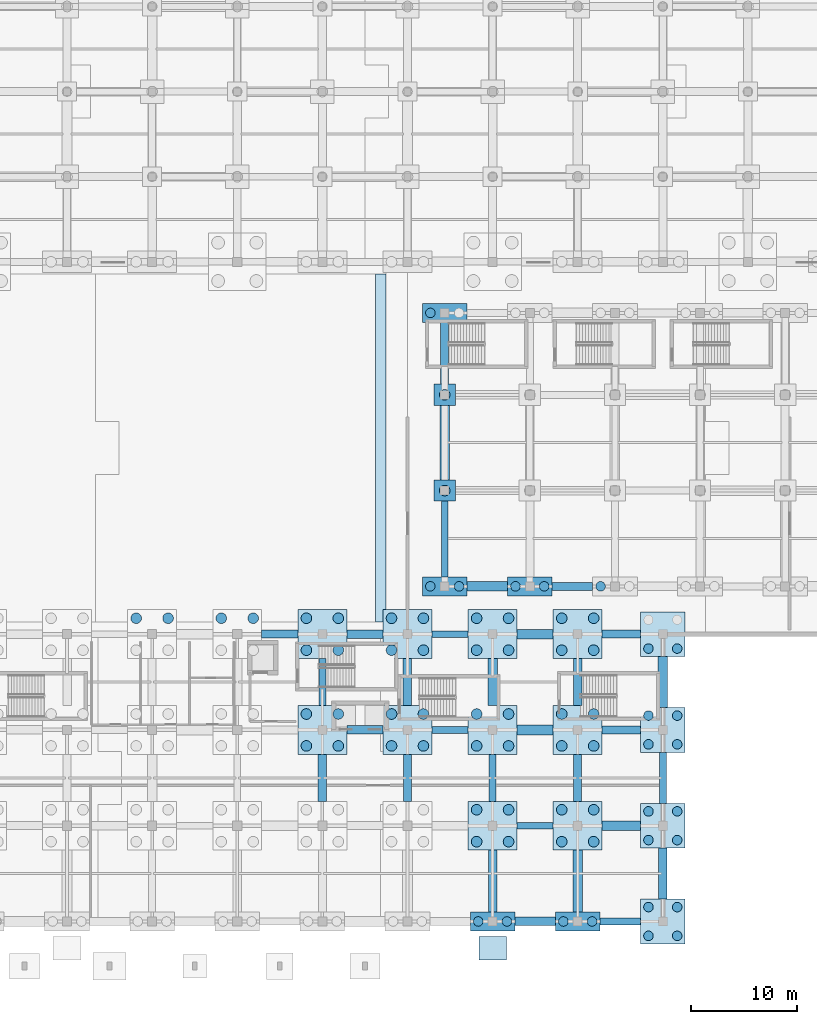
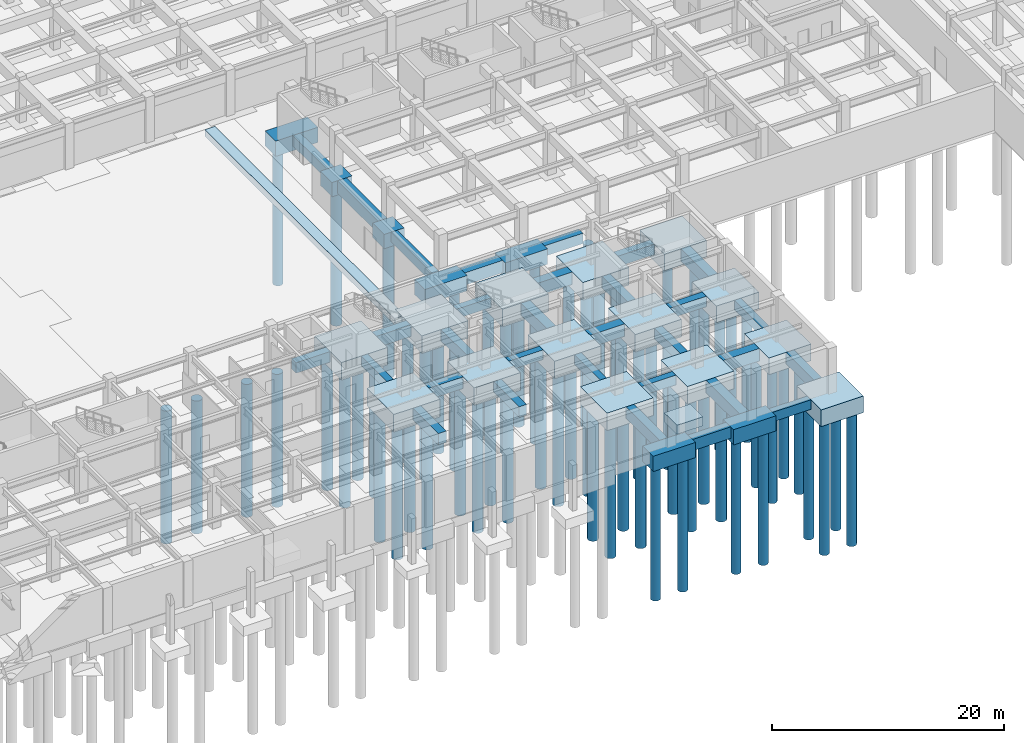
# One storey, part 4 of 48: 70 piles, 54 footings.
"""IFC4 building model written with IfcOpenShell, lengths in metres."""

from ifc_helpers import new_model, si_unit, direction, frame, origin, origin_2d, place, context, subcontext, project, spatial, polyline, rectangle, circle, outline, extrude, material, layer, layer_set, material_profile, profile_set, type_object, element, save


model = new_model("IFC4")

# Units and contexts
model_context = context("Model", 3, precision=1e-05, world=origin(), true_north=direction((0.0, 1.0)))
body_context = subcontext(model_context, "Body", "Model", "MODEL_VIEW")
ifc_project = project(units=[si_unit("LENGTHUNIT", "METRE"), si_unit("AREAUNIT", "SQUARE_METRE"), si_unit("VOLUMEUNIT", "CUBIC_METRE"), si_unit("PLANEANGLEUNIT", "RADIAN"), si_unit("MASSUNIT", "GRAM", prefix="KILO")], contexts=[model_context])

# Site, building, storey
site_placement = place(None, origin())
site = spatial("IfcSite", under=ifc_project, at=site_placement, CompositionType="ELEMENT")
building_placement = place(site_placement, origin())
building = spatial("IfcBuilding", under=site, at=building_placement, Name="Tlacozan Convention Centre", CompositionType="ELEMENT")
storey_placement = place(building_placement, frame((0.0, 0.0, -4.800048828125)))
storey = spatial("IfcBuildingStorey", under=building, at=storey_placement, Name="B01", CompositionType="ELEMENT", Elevation=-4.800048828125)

# Footings
ifc_material = material(Name="Concrete C35/45", Category="concrete")
ifc_layer_1 = layer(ifc_material, 0.699951171875)
ifc_layer_set_1 = layer_set([ifc_layer_1], Name="Concrete C35/45")
footing_type_1 = type_object("IfcFootingType", Name="Courtyard Strip Footing 1000x700", PredefinedType="STRIP_FOOTING", material=ifc_layer_set_1)
footing_1_placement = place(storey_placement, frame((0.0, 0.0, -0.699951171875)))
element("IfcFooting", 1, at=footing_1_placement, inside=storey, type_object=footing_type_1, Name="Strip Footing SF-C4", PredefinedType="STRIP_FOOTING", context=body_context, shape_type="SweptSolid", body=[
    extrude(outline(polyline([(85.0, 28.14990234375), (86.0, 28.14990234375), (86.0, 60.85009765625), (85.0, 60.85009765625), (85.0, 28.14990234375)])), origin(), (0.0, 0.0, 1.0), 0.699951171875),
])
ifc_layer_2 = layer(ifc_material, 1.0)
ifc_layer_set_2 = layer_set([ifc_layer_2], Name="Concrete C35/45")
footing_type_2 = type_object("IfcFootingType", Name="Foundation Tie Beam 650x1000", PredefinedType="FOOTING_BEAM", material=ifc_layer_set_2)
footing_2_placement = place(storey_placement, frame((0.0, 0.0, -1.0)))
element("IfcFooting", 2, at=footing_2_placement, inside=storey, type_object=footing_type_2, Name="Foundation Tie Beam X-13", PredefinedType="FOOTING_BEAM", context=body_context, shape_type="SweptSolid", body=[
    extrude(outline(polyline([(106.10009765625, -0.324951171875), (109.89990234375, -0.324951171875), (109.89990234375, 0.324951171875), (106.10009765625, 0.324951171875), (106.10009765625, -0.324951171875)])), origin(), (0.0, 0.0, 1.0), 1.0),
])
footing_3_placement = place(storey_placement, frame((0.0, 0.0, -1.0)))
element("IfcFooting", 3, at=footing_3_placement, inside=storey, type_object=footing_type_2, Name="Foundation Tie Beam X-25", PredefinedType="FOOTING_BEAM", context=body_context, shape_type="SweptSolid", body=[
    extrude(outline(polyline([(98.300048828125, 8.675048828125), (101.699951171875, 8.675048828125), (101.699951171875, 9.324951171875), (98.300048828125, 9.324951171875), (98.300048828125, 8.675048828125)])), origin(), (0.0, 0.0, 1.0), 1.0),
])
footing_4_placement = place(storey_placement, frame((0.0, 0.0, -1.0)))
element("IfcFooting", 4, at=footing_4_placement, inside=storey, type_object=footing_type_2, Name="Foundation Tie Beam X-37", PredefinedType="FOOTING_BEAM", context=body_context, shape_type="SweptSolid", body=[
    extrude(outline(polyline([(90.300048828125, 17.675048828125), (93.699951171875, 17.675048828125), (93.699951171875, 18.324951171875), (90.300048828125, 18.324951171875), (90.300048828125, 17.675048828125)])), origin(), (0.0, 0.0, 1.0), 1.0),
])
footing_5_placement = place(storey_placement, frame((0.0, 0.0, -1.0)))
element("IfcFooting", 5, at=footing_5_placement, inside=storey, type_object=footing_type_2, Name="Foundation Tie Beam X-57", PredefinedType="FOOTING_BEAM", context=body_context, shape_type="SweptSolid", body=[
    extrude(outline(polyline([(90.300048828125, 26.675048828125), (93.699951171875, 26.675048828125), (93.699951171875, 27.324951171875), (90.300048828125, 27.324951171875), (90.300048828125, 26.675048828125)])), origin(), (0.0, 0.0, 1.0), 1.0),
])
footing_6_placement = place(storey_placement, frame((0.0, 0.0, -1.0)))
element("IfcFooting", 6, at=footing_6_placement, inside=storey, type_object=footing_type_2, Name="Foundation Tie Beam Y-441", PredefinedType="FOOTING_BEAM", context=body_context, shape_type="SweptSolid", body=[
    extrude(outline(polyline([(79.675048828125, 20.300048828125), (80.324951171875, 20.300048828125), (80.324951171875, 24.699951171875), (79.675048828125, 24.699951171875), (79.675048828125, 20.300048828125)])), origin(), (0.0, 0.0, 1.0), 1.0),
])
footing_7_placement = place(storey_placement, frame((0.0, 0.0, -1.0)))
element("IfcFooting", 7, at=footing_7_placement, inside=storey, type_object=footing_type_2, Name="Foundation Tie Beam Y-461", PredefinedType="FOOTING_BEAM", context=body_context, shape_type="SweptSolid", body=[
    extrude(outline(polyline([(91.175048828125, 32.39990234375), (91.824951171875, 32.39990234375), (91.824951171875, 39.5), (91.175048828125, 39.5), (91.175048828125, 32.39990234375)])), origin(), (0.0, 0.0, 1.0), 1.0),
])
footing_8_placement = place(storey_placement, frame((0.0, 0.0, -1.0)))
element("IfcFooting", 8, at=footing_8_placement, inside=storey, type_object=footing_type_2, Name="Foundation Tie Beam Y-465", PredefinedType="FOOTING_BEAM", context=body_context, shape_type="SweptSolid", body=[
    extrude(outline(polyline([(95.675048828125, 11.300048828125), (96.324951171875, 11.300048828125), (96.324951171875, 15.699951171875), (95.675048828125, 15.699951171875), (95.675048828125, 11.300048828125)])), origin(), (0.0, 0.0, 1.0), 1.0),
])
footing_9_placement = place(storey_placement, frame((0.0, 0.0, -1.0)))
element("IfcFooting", 9, at=footing_9_placement, inside=storey, type_object=footing_type_2, Name="Foundation Tie Beam Y-493", PredefinedType="FOOTING_BEAM", context=body_context, shape_type="SweptSolid", body=[
    extrude(outline(polyline([(111.675048828125, 11.10009765625), (112.324951171875, 11.10009765625), (112.324951171875, 15.89990234375), (111.675048828125, 15.89990234375), (111.675048828125, 11.10009765625)])), origin(), (0.0, 0.0, 1.0), 1.0),
])
ifc_layer_3 = layer(ifc_material, 1.10009765625)
ifc_layer_set_3 = layer_set([ifc_layer_3], Name="Concrete C35/45")
footing_type_3 = type_object("IfcFootingType", Name="Foundation Tie Beam 750x1100", PredefinedType="FOOTING_BEAM", material=ifc_layer_set_3)
footing_10_placement = place(storey_placement, frame((0.0, 0.0, -1.099853515625)))
element("IfcFooting", 10, at=footing_10_placement, inside=storey, type_object=footing_type_3, Name="Foundation Tie Beam X-39", PredefinedType="FOOTING_BEAM", context=body_context, shape_type="SweptSolid", body=[
    extrude(outline(polyline([(106.300048828125, 17.625), (109.89990234375, 17.625), (109.89990234375, 18.375), (106.300048828125, 18.375), (106.300048828125, 17.625)])), origin(), (0.0, 0.0, 1.0), 1.099853515625),
])
footing_11_placement = place(storey_placement, frame((0.0, 0.0, -1.099853515625)))
element("IfcFooting", 11, at=footing_11_placement, inside=storey, type_object=footing_type_3, Name="Foundation Tie Beam X-55", PredefinedType="FOOTING_BEAM", context=body_context, shape_type="SweptSolid", body=[
    extrude(outline(polyline([(74.300048828125, 26.625), (77.699951171875, 26.625), (77.699951171875, 27.375), (74.300048828125, 27.375), (74.300048828125, 26.625)])), origin(), (0.0, 0.0, 1.0), 1.099853515625),
])
footing_12_placement = place(storey_placement, frame((0.0, 0.0, -1.099853515625)))
element("IfcFooting", 12, at=footing_12_placement, inside=storey, type_object=footing_type_3, Name="Foundation Tie Beam X-59", PredefinedType="FOOTING_BEAM", context=body_context, shape_type="SweptSolid", body=[
    extrude(outline(polyline([(106.300048828125, 26.625), (109.89990234375, 26.625), (109.89990234375, 27.375), (106.300048828125, 27.375), (106.300048828125, 26.625)])), origin(), (0.0, 0.0, 1.0), 1.099853515625),
])
footing_13_placement = place(storey_placement, frame((0.0, 0.0, -1.099853515625)))
element("IfcFooting", 13, at=footing_13_placement, inside=storey, type_object=footing_type_3, Name="Foundation Tie Beam X-71", PredefinedType="FOOTING_BEAM", context=body_context, shape_type="SweptSolid", body=[
    extrude(outline(polyline([(101.60009765625, 31.125), (105.39990234375, 31.125), (105.39990234375, 31.875), (101.60009765625, 31.875), (101.60009765625, 31.125)])), origin(), (0.0, 0.0, 1.0), 1.099853515625),
])
footing_14_placement = place(storey_placement, frame((0.0, 0.0, -1.099853515625)))
element("IfcFooting", 14, at=footing_14_placement, inside=storey, type_object=footing_type_3, Name="Foundation Tie Beam Y-451", PredefinedType="FOOTING_BEAM", context=body_context, shape_type="SweptSolid", body=[
    extrude(outline(polyline([(87.625, 11.300048828125), (88.375, 11.300048828125), (88.375, 15.699951171875), (87.625, 15.699951171875), (87.625, 11.300048828125)])), origin(), (0.0, 0.0, 1.0), 1.099853515625),
])
footing_15_placement = place(storey_placement, frame((0.0, 0.0, -1.099853515625)))
element("IfcFooting", 15, at=footing_15_placement, inside=storey, type_object=footing_type_3, Name="Foundation Tie Beam Y-463", PredefinedType="FOOTING_BEAM", context=body_context, shape_type="SweptSolid", body=[
    extrude(outline(polyline([(91.125, 50.5), (91.875, 50.5), (91.875, 56.300048828125), (91.125, 56.300048828125), (91.125, 50.5)])), origin(), (0.0, 0.0, 1.0), 1.099853515625),
])
footing_16_placement = place(storey_placement, frame((0.0, 0.0, -1.099853515625)))
element("IfcFooting", 16, at=footing_16_placement, inside=storey, type_object=footing_type_3, Name="Foundation Tie Beam Y-479", PredefinedType="FOOTING_BEAM", context=body_context, shape_type="SweptSolid", body=[
    extrude(outline(polyline([(103.625, 11.300048828125), (104.375, 11.300048828125), (104.375, 15.699951171875), (103.625, 15.699951171875), (103.625, 11.300048828125)])), origin(), (0.0, 0.0, 1.0), 1.099853515625),
])
ifc_layer_4 = layer(ifc_material, 1.199951171875)
ifc_layer_set_4 = layer_set([ifc_layer_4], Name="Concrete C35/45")
footing_type_4 = type_object("IfcFootingType", Name="Foundation Tie Beam 800x1200", PredefinedType="FOOTING_BEAM", material=ifc_layer_set_4)
footing_17_placement = place(storey_placement, frame((0.0, 0.0, -1.199951171875)))
element("IfcFooting", 17, at=footing_17_placement, inside=storey, type_object=footing_type_4, Name="Foundation Tie Beam X-12", PredefinedType="FOOTING_BEAM", context=body_context, shape_type="SweptSolid", body=[
    extrude(outline(polyline([(98.10009765625, -0.39990234375), (101.89990234375, -0.39990234375), (101.89990234375, 0.39990234375), (98.10009765625, 0.39990234375), (98.10009765625, -0.39990234375)])), origin(), (0.0, 0.0, 1.0), 1.199951171875),
])
footing_18_placement = place(storey_placement, frame((0.0, 0.0, -1.199951171875)))
element("IfcFooting", 18, at=footing_18_placement, inside=storey, type_object=footing_type_4, Name="Foundation Tie Beam X-36", PredefinedType="FOOTING_BEAM", context=body_context, shape_type="SweptSolid", body=[
    extrude(outline(polyline([(82.300048828125, 17.60009765625), (85.699951171875, 17.60009765625), (85.699951171875, 18.39990234375), (82.300048828125, 18.39990234375), (82.300048828125, 17.60009765625)])), origin(), (0.0, 0.0, 1.0), 1.199951171875),
])
footing_19_placement = place(storey_placement, frame((0.0, 0.0, -1.199951171875)))
element("IfcFooting", 19, at=footing_19_placement, inside=storey, type_object=footing_type_4, Name="Foundation Tie Beam X-56", PredefinedType="FOOTING_BEAM", context=body_context, shape_type="SweptSolid", body=[
    extrude(outline(polyline([(82.300048828125, 26.60009765625), (85.699951171875, 26.60009765625), (85.699951171875, 27.39990234375), (82.300048828125, 27.39990234375), (82.300048828125, 26.60009765625)])), origin(), (0.0, 0.0, 1.0), 1.199951171875),
])
footing_20_placement = place(storey_placement, frame((0.0, 0.0, -1.199951171875)))
element("IfcFooting", 20, at=footing_20_placement, inside=storey, type_object=footing_type_4, Name="Foundation Tie Beam Y-440", PredefinedType="FOOTING_BEAM", context=body_context, shape_type="SweptSolid", body=[
    extrude(outline(polyline([(79.60009765625, 11.300048828125), (80.39990234375, 11.300048828125), (80.39990234375, 15.699951171875), (79.60009765625, 15.699951171875), (79.60009765625, 11.300048828125)])), origin(), (0.0, 0.0, 1.0), 1.199951171875),
])
footing_21_placement = place(storey_placement, frame((0.0, 0.0, -1.199951171875)))
element("IfcFooting", 21, at=footing_21_placement, inside=storey, type_object=footing_type_4, Name="Foundation Tie Beam Y-452", PredefinedType="FOOTING_BEAM", context=body_context, shape_type="SweptSolid", body=[
    extrude(outline(polyline([(87.60009765625, 20.300048828125), (88.39990234375, 20.300048828125), (88.39990234375, 24.699951171875), (87.60009765625, 24.699951171875), (87.60009765625, 20.300048828125)])), origin(), (0.0, 0.0, 1.0), 1.199951171875),
])
footing_22_placement = place(storey_placement, frame((0.0, 0.0, -1.199951171875)))
element("IfcFooting", 22, at=footing_22_placement, inside=storey, type_object=footing_type_4, Name="Foundation Tie Beam Y-464", PredefinedType="FOOTING_BEAM", context=body_context, shape_type="SweptSolid", body=[
    extrude(outline(polyline([(95.60009765625, 0.89990234375), (96.39990234375, 0.89990234375), (96.39990234375, 6.699951171875), (95.60009765625, 6.699951171875), (95.60009765625, 0.89990234375)])), origin(), (0.0, 0.0, 1.0), 1.199951171875),
])
footing_23_placement = place(storey_placement, frame((0.0, 0.0, -1.199951171875)))
element("IfcFooting", 23, at=footing_23_placement, inside=storey, type_object=footing_type_4, Name="Foundation Tie Beam Y-480", PredefinedType="FOOTING_BEAM", context=body_context, shape_type="SweptSolid", body=[
    extrude(outline(polyline([(103.60009765625, 20.300048828125), (104.39990234375, 20.300048828125), (104.39990234375, 24.699951171875), (103.60009765625, 24.699951171875), (103.60009765625, 20.300048828125)])), origin(), (0.0, 0.0, 1.0), 1.199951171875),
])
footing_24_placement = place(storey_placement, frame((0.0, 0.0, -1.199951171875)))
element("IfcFooting", 24, at=footing_24_placement, inside=storey, type_object=footing_type_4, Name="Foundation Tie Beam Y-492", PredefinedType="FOOTING_BEAM", context=body_context, shape_type="SweptSolid", body=[
    extrude(outline(polyline([(111.60009765625, 2.10009765625), (112.39990234375, 2.10009765625), (112.39990234375, 6.89990234375), (111.60009765625, 6.89990234375), (111.60009765625, 2.10009765625)])), origin(), (0.0, 0.0, 1.0), 1.199951171875),
])
ifc_layer_5 = layer(ifc_material, 1.300048828125)
ifc_layer_set_5 = layer_set([ifc_layer_5], Name="Concrete C35/45")
footing_type_5 = type_object("IfcFootingType", Name="Foundation Tie Beam 900x1300", PredefinedType="FOOTING_BEAM", material=ifc_layer_set_5)
footing_25_placement = place(storey_placement, frame((0.0, 0.0, -1.300048828125)))
element("IfcFooting", 25, at=footing_25_placement, inside=storey, type_object=footing_type_5, Name="Foundation Tie Beam X-26", PredefinedType="FOOTING_BEAM", context=body_context, shape_type="SweptSolid", body=[
    extrude(outline(polyline([(106.300048828125, 8.550048828125), (109.89990234375, 8.550048828125), (109.89990234375, 9.449951171875), (106.300048828125, 9.449951171875), (106.300048828125, 8.550048828125)])), origin(), (0.0, 0.0, 1.0), 1.300048828125),
])
footing_26_placement = place(storey_placement, frame((0.0, 0.0, -1.300048828125)))
element("IfcFooting", 26, at=footing_26_placement, inside=storey, type_object=footing_type_5, Name="Foundation Tie Beam X-38", PredefinedType="FOOTING_BEAM", context=body_context, shape_type="SweptSolid", body=[
    extrude(outline(polyline([(98.300048828125, 17.550048828125), (101.699951171875, 17.550048828125), (101.699951171875, 18.449951171875), (98.300048828125, 18.449951171875), (98.300048828125, 17.550048828125)])), origin(), (0.0, 0.0, 1.0), 1.300048828125),
])
footing_27_placement = place(storey_placement, frame((0.0, 0.0, -1.300048828125)))
element("IfcFooting", 27, at=footing_27_placement, inside=storey, type_object=footing_type_5, Name="Foundation Tie Beam X-58", PredefinedType="FOOTING_BEAM", context=body_context, shape_type="SweptSolid", body=[
    extrude(outline(polyline([(98.300048828125, 26.550048828125), (101.699951171875, 26.550048828125), (101.699951171875, 27.449951171875), (98.300048828125, 27.449951171875), (98.300048828125, 26.550048828125)])), origin(), (0.0, 0.0, 1.0), 1.300048828125),
])
footing_28_placement = place(storey_placement, frame((0.0, 0.0, -1.300048828125)))
element("IfcFooting", 28, at=footing_28_placement, inside=storey, type_object=footing_type_5, Name="Foundation Tie Beam X-70", PredefinedType="FOOTING_BEAM", context=body_context, shape_type="SweptSolid", body=[
    extrude(outline(polyline([(93.60009765625, 31.050048828125), (97.39990234375, 31.050048828125), (97.39990234375, 31.949951171875), (93.60009765625, 31.949951171875), (93.60009765625, 31.050048828125)])), origin(), (0.0, 0.0, 1.0), 1.300048828125),
])
footing_29_placement = place(storey_placement, frame((0.0, 0.0, -1.300048828125)))
element("IfcFooting", 29, at=footing_29_placement, inside=storey, type_object=footing_type_5, Name="Foundation Tie Beam Y-462", PredefinedType="FOOTING_BEAM", context=body_context, shape_type="SweptSolid", body=[
    extrude(outline(polyline([(91.050048828125, 41.5), (91.949951171875, 41.5), (91.949951171875, 48.5), (91.050048828125, 48.5), (91.050048828125, 41.5)])), origin(), (0.0, 0.0, 1.0), 1.300048828125),
])
footing_30_placement = place(storey_placement, frame((0.0, 0.0, -1.300048828125)))
element("IfcFooting", 30, at=footing_30_placement, inside=storey, type_object=footing_type_5, Name="Foundation Tie Beam Y-466", PredefinedType="FOOTING_BEAM", context=body_context, shape_type="SweptSolid", body=[
    extrude(outline(polyline([(95.550048828125, 20.300048828125), (96.449951171875, 20.300048828125), (96.449951171875, 24.699951171875), (95.550048828125, 24.699951171875), (95.550048828125, 20.300048828125)])), origin(), (0.0, 0.0, 1.0), 1.300048828125),
])
footing_31_placement = place(storey_placement, frame((0.0, 0.0, -1.300048828125)))
element("IfcFooting", 31, at=footing_31_placement, inside=storey, type_object=footing_type_5, Name="Foundation Tie Beam Y-478", PredefinedType="FOOTING_BEAM", context=body_context, shape_type="SweptSolid", body=[
    extrude(outline(polyline([(103.550048828125, 0.89990234375), (104.449951171875, 0.89990234375), (104.449951171875, 6.699951171875), (103.550048828125, 6.699951171875), (103.550048828125, 0.89990234375)])), origin(), (0.0, 0.0, 1.0), 1.300048828125),
])
footing_32_placement = place(storey_placement, frame((0.0, 0.0, -1.300048828125)))
element("IfcFooting", 32, at=footing_32_placement, inside=storey, type_object=footing_type_5, Name="Foundation Tie Beam Y-494", PredefinedType="FOOTING_BEAM", context=body_context, shape_type="SweptSolid", body=[
    extrude(outline(polyline([(111.550048828125, 20.10009765625), (112.449951171875, 20.10009765625), (112.449951171875, 24.89990234375), (111.550048828125, 24.89990234375), (111.550048828125, 20.10009765625)])), origin(), (0.0, 0.0, 1.0), 1.300048828125),
])
ifc_layer_6 = layer(ifc_material, 0.949951171875)
ifc_layer_set_6 = layer_set([ifc_layer_6], Name="Concrete C35/45")
footing_type_6 = type_object("IfcFootingType", Name="Pad Footing 2500x2500x950", PredefinedType="PAD_FOOTING", material=ifc_layer_set_6)
footing_33_placement = place(storey_placement, frame((96.0, -2.5, 3.66015625), z_axis=(0.0, 0.0, 1.0), x_axis=(1.0, 0.0, 0.0)))
element("IfcFooting", 33, at=footing_33_placement, inside=storey, type_object=footing_type_6, Name="Accessible Ramp Grade Toe Footing 3", PredefinedType="PAD_FOOTING", context=body_context, shape_type="SweptSolid", body=[
    extrude(rectangle(XDim=2.60009765625, YDim=2.199951171875, at=origin_2d()), origin(), (0.0, 0.0, 1.0), 0.9599609375),
])
ifc_layer_7 = layer(ifc_material, 1.5)
ifc_layer_set_7 = layer_set([ifc_layer_7], Name="Concrete C35/45")
footing_type_7 = type_object("IfcFootingType", Name="Pile Cap 1P 2000x2000x1500", PredefinedType="PILE_CAP", material=ifc_layer_set_7)
for number, where, z_axis, x_axis, name in (
    (34, (91.5, 40.5, -1.5), (0.0, 0.0, 1.0), (1.0, 0.0, 0.0), "Pile Cap PC-02 (173)"),
    (35, (91.5, 49.5, -1.5), (0.0, 0.0, 1.0), (1.0, 0.0, 0.0), "Pile Cap PC-02 (174)"),
):
    element("IfcFooting", number, at=place(storey_placement, frame(where, z_axis=z_axis, x_axis=x_axis)), inside=storey, type_object=footing_type_7, Name=name, PredefinedType="PILE_CAP", context=body_context, shape_type="SweptSolid", body=[
        extrude(rectangle(XDim=2.0, YDim=2.0, at=origin_2d()), origin(), (0.0, 0.0, 1.0), 1.5),
    ])
ifc_layer_8 = layer(ifc_material, 1.60009765625)
ifc_layer_set_8 = layer_set([ifc_layer_8], Name="Concrete C35/45")
footing_type_8 = type_object("IfcFootingType", Name="Pile Cap 2P 4200x1800x1600", PredefinedType="PILE_CAP", material=ifc_layer_set_8)
for number, where, z_axis, x_axis, name in (
    (36, (91.5, 31.5, -1.60009765625), (0.0, 0.0, 1.0), (1.0, 0.0, 0.0), "Pile Cap PC-03 (172)"),
    (37, (91.5, 57.199951171875, -1.60009765625), (0.0, 0.0, 1.0), (1.0, 0.0, 0.0), "Pile Cap PC-03 (175)"),
    (38, (96.0, 0.0, -1.60009765625), (0.0, 0.0, 1.0), (1.0, 0.0, 0.0), "Pile Cap PC-03 (176)"),
    (39, (99.5, 31.5, -1.60009765625), (0.0, 0.0, 1.0), (1.0, 0.0, 0.0), "Pile Cap PC-03 (189)"),
    (40, (104.0, 0.0, -1.60009765625), (0.0, 0.0, 1.0), (1.0, 0.0, 0.0), "Pile Cap PC-03 (193)"),
):
    element("IfcFooting", number, at=place(storey_placement, frame(where, z_axis=z_axis, x_axis=x_axis)), inside=storey, type_object=footing_type_8, Name=name, PredefinedType="PILE_CAP", context=body_context, shape_type="SweptSolid", body=[
        extrude(rectangle(XDim=4.199951171875, YDim=1.800048828125, at=origin_2d()), origin(), (0.0, 0.0, 1.0), 1.60009765625),
    ])
ifc_layer_9 = layer(ifc_material, 1.75)
ifc_layer_set_9 = layer_set([ifc_layer_9], Name="Concrete C35/45")
footing_type_9 = type_object("IfcFootingType", Name="Pile Cap 4P 4200x4200x1750", PredefinedType="PILE_CAP", material=ifc_layer_set_9)
for number, where, z_axis, x_axis, name in (
    (41, (112.0, 0.0, -1.75), (0.0, 0.0, 1.0), (1.0, 0.0, 0.0), "Pile Cap PC-06 (210)"),
    (42, (112.0, 9.0, -1.75), (0.0, 0.0, 1.0), (1.0, 0.0, 0.0), "Pile Cap PC-06 (211)"),
    (43, (112.0, 18.0, -1.75), (0.0, 0.0, 1.0), (1.0, 0.0, 0.0), "Pile Cap PC-06 (212)"),
    (44, (112.0, 27.0, -1.75), (0.0, 0.0, 1.0), (1.0, 0.0, 0.0), "Pile Cap PC-06 (213)"),
):
    element("IfcFooting", number, at=place(storey_placement, frame(where, z_axis=z_axis, x_axis=x_axis)), inside=storey, type_object=footing_type_9, Name=name, PredefinedType="PILE_CAP", context=body_context, shape_type="SweptSolid", body=[
        extrude(rectangle(XDim=4.199951171875, YDim=4.199951171875, at=origin_2d()), origin(), (0.0, 0.0, 1.0), 1.75),
    ])
ifc_layer_10 = layer(ifc_material, 1.85009765625)
ifc_layer_set_10 = layer_set([ifc_layer_10], Name="Concrete C35/45")
footing_type_10 = type_object("IfcFootingType", Name="Pile Cap 4P 4600x4600x1850", PredefinedType="PILE_CAP", material=ifc_layer_set_10)
for number, where, z_axis, x_axis, name in (
    (45, (80.0, 18.0, -1.85009765625), (0.0, 0.0, 1.0), (1.0, 0.0, 0.0), "Pile Cap PC-07 (148)"),
    (46, (80.0, 27.0, -1.85009765625), (0.0, 0.0, 1.0), (1.0, 0.0, 0.0), "Pile Cap PC-07 (149)"),
    (47, (88.0, 18.0, -1.85009765625), (0.0, 0.0, 1.0), (1.0, 0.0, 0.0), "Pile Cap PC-07 (161)"),
    (48, (88.0, 27.0, -1.85009765625), (0.0, 0.0, 1.0), (1.0, 0.0, 0.0), "Pile Cap PC-07 (162)"),
    (49, (96.0, 9.0, -1.85009765625), (0.0, 0.0, 1.0), (1.0, 0.0, 0.0), "Pile Cap PC-07 (177)"),
    (50, (96.0, 18.0, -1.85009765625), (0.0, 0.0, 1.0), (1.0, 0.0, 0.0), "Pile Cap PC-07 (178)"),
    (51, (96.0, 27.0, -1.85009765625), (0.0, 0.0, 1.0), (1.0, 0.0, 0.0), "Pile Cap PC-07 (179)"),
    (52, (104.0, 9.0, -1.85009765625), (0.0, 0.0, 1.0), (1.0, 0.0, 0.0), "Pile Cap PC-07 (194)"),
    (53, (104.0, 18.0, -1.85009765625), (0.0, 0.0, 1.0), (1.0, 0.0, 0.0), "Pile Cap PC-07 (195)"),
    (54, (104.0, 27.0, -1.85009765625), (0.0, 0.0, 1.0), (1.0, 0.0, 0.0), "Pile Cap PC-07 (196)"),
):
    element("IfcFooting", number, at=place(storey_placement, frame(where, z_axis=z_axis, x_axis=x_axis)), inside=storey, type_object=footing_type_10, Name=name, PredefinedType="PILE_CAP", context=body_context, shape_type="SweptSolid", body=[
        extrude(rectangle(XDim=4.60009765625, YDim=4.60009765625, at=origin_2d()), origin(), (0.0, 0.0, 1.0), 1.85009765625),
    ])

# Piles
ifc_material_profile_1 = material_profile(ifc_material, circle(Radius=0.5, at=origin_2d()), Name="PILE D1000")
ifc_profile_set_1 = profile_set([ifc_material_profile_1], Name="Concrete C35/45")
pile_type_1 = type_object("IfcPileType", Name="Pile D1000 Bored", PredefinedType="BORED", material=ifc_profile_set_1)
for number, where, z_axis, x_axis, name in (
    (55, (62.5, 28.5, -1.72998046875), (0.0, 0.0, -1.0), (1.0, 0.0, 0.0), "Bored Pile 243"),
    (56, (65.5, 28.5, -1.72998046875), (0.0, 0.0, -1.0), (1.0, 0.0, 0.0), "Bored Pile 244"),
    (57, (70.5, 28.5, -1.72998046875), (0.0, 0.0, -1.0), (1.0, 0.0, 0.0), "Bored Pile 268"),
    (58, (73.5, 28.5, -1.72998046875), (0.0, 0.0, -1.0), (1.0, 0.0, 0.0), "Bored Pile 269"),
    (59, (78.5, 16.5, -1.72998046875), (0.0, 0.0, -1.0), (1.0, 0.0, 0.0), "Bored Pile 291"),
    (60, (81.5, 16.5, -1.72998046875), (0.0, 0.0, -1.0), (1.0, 0.0, 0.0), "Bored Pile 292"),
    (61, (78.5, 19.5, -1.72998046875), (0.0, 0.0, -1.0), (1.0, 0.0, 0.0), "Bored Pile 293"),
    (62, (81.5, 19.5, -1.72998046875), (0.0, 0.0, -1.0), (1.0, 0.0, 0.0), "Bored Pile 294"),
    (63, (78.5, 25.5, -1.72998046875), (0.0, 0.0, -1.0), (1.0, 0.0, 0.0), "Bored Pile 295"),
    (64, (81.5, 25.5, -1.72998046875), (0.0, 0.0, -1.0), (1.0, 0.0, 0.0), "Bored Pile 296"),
    (65, (78.5, 28.5, -1.72998046875), (0.0, 0.0, -1.0), (1.0, 0.0, 0.0), "Bored Pile 297"),
    (66, (81.5, 28.5, -1.72998046875), (0.0, 0.0, -1.0), (1.0, 0.0, 0.0), "Bored Pile 298"),
    (67, (86.5, 16.5, -1.72998046875), (0.0, 0.0, -1.0), (1.0, 0.0, 0.0), "Bored Pile 316"),
    (68, (89.5, 16.5, -1.72998046875), (0.0, 0.0, -1.0), (1.0, 0.0, 0.0), "Bored Pile 317"),
    (69, (86.5, 19.5, -1.72998046875), (0.0, 0.0, -1.0), (1.0, 0.0, 0.0), "Bored Pile 318"),
    (70, (89.5, 19.5, -1.72998046875), (0.0, 0.0, -1.0), (1.0, 0.0, 0.0), "Bored Pile 319"),
    (71, (86.5, 25.5, -1.72998046875), (0.0, 0.0, -1.0), (1.0, 0.0, 0.0), "Bored Pile 320"),
    (72, (89.5, 25.5, -1.72998046875), (0.0, 0.0, -1.0), (1.0, 0.0, 0.0), "Bored Pile 321"),
    (73, (86.5, 28.5, -1.72998046875), (0.0, 0.0, -1.0), (1.0, 0.0, 0.0), "Bored Pile 322"),
    (74, (89.5, 28.5, -1.72998046875), (0.0, 0.0, -1.0), (1.0, 0.0, 0.0), "Bored Pile 323"),
):
    element("IfcPile", number, at=place(storey_placement, frame(where, z_axis=z_axis, x_axis=x_axis)), inside=storey, type_object=pile_type_1, Name=name, PredefinedType="BORED", context=body_context, shape_type="SweptSolid", body=[
        extrude(circle(Radius=0.5, at=origin_2d()), origin(), (0.0, 0.0, 1.0), 13.969970703125),
    ])
for number, where, z_axis, x_axis, name in (
    (75, (91.5, 40.5, -1.3798828125), (0.0, 0.0, -1.0), (1.0, 0.0, 0.0), "Bored Pile 337"),
    (76, (91.5, 49.5, -1.3798828125), (0.0, 0.0, -1.0), (1.0, 0.0, 0.0), "Bored Pile 338"),
):
    element("IfcPile", number, at=place(storey_placement, frame(where, z_axis=z_axis, x_axis=x_axis)), inside=storey, type_object=pile_type_1, Name=name, PredefinedType="BORED", context=body_context, shape_type="SweptSolid", body=[
        extrude(circle(Radius=0.5, at=origin_2d()), origin(), (0.0, 0.0, 1.0), 14.320068359375),
    ])
for number, where, z_axis, x_axis, name in (
    (77, (94.5, 7.5, -1.72998046875), (0.0, 0.0, -1.0), (1.0, 0.0, 0.0), "Bored Pile 343"),
    (78, (97.5, 7.5, -1.72998046875), (0.0, 0.0, -1.0), (1.0, 0.0, 0.0), "Bored Pile 344"),
    (79, (94.5, 10.5, -1.72998046875), (0.0, 0.0, -1.0), (1.0, 0.0, 0.0), "Bored Pile 345"),
    (80, (97.5, 10.5, -1.72998046875), (0.0, 0.0, -1.0), (1.0, 0.0, 0.0), "Bored Pile 346"),
    (81, (94.5, 16.5, -1.72998046875), (0.0, 0.0, -1.0), (1.0, 0.0, 0.0), "Bored Pile 347"),
    (82, (97.5, 16.5, -1.72998046875), (0.0, 0.0, -1.0), (1.0, 0.0, 0.0), "Bored Pile 348"),
    (83, (94.5, 19.5, -1.72998046875), (0.0, 0.0, -1.0), (1.0, 0.0, 0.0), "Bored Pile 349"),
    (84, (97.5, 19.5, -1.72998046875), (0.0, 0.0, -1.0), (1.0, 0.0, 0.0), "Bored Pile 350"),
    (85, (94.5, 25.5, -1.72998046875), (0.0, 0.0, -1.0), (1.0, 0.0, 0.0), "Bored Pile 351"),
    (86, (97.5, 25.5, -1.72998046875), (0.0, 0.0, -1.0), (1.0, 0.0, 0.0), "Bored Pile 352"),
    (87, (94.5, 28.5, -1.72998046875), (0.0, 0.0, -1.0), (1.0, 0.0, 0.0), "Bored Pile 353"),
    (88, (97.5, 28.5, -1.72998046875), (0.0, 0.0, -1.0), (1.0, 0.0, 0.0), "Bored Pile 354"),
    (89, (102.5, 7.5, -1.72998046875), (0.0, 0.0, -1.0), (1.0, 0.0, 0.0), "Bored Pile 378"),
    (90, (105.5, 7.5, -1.72998046875), (0.0, 0.0, -1.0), (1.0, 0.0, 0.0), "Bored Pile 379"),
    (91, (102.5, 10.5, -1.72998046875), (0.0, 0.0, -1.0), (1.0, 0.0, 0.0), "Bored Pile 380"),
    (92, (105.5, 10.5, -1.72998046875), (0.0, 0.0, -1.0), (1.0, 0.0, 0.0), "Bored Pile 381"),
    (93, (102.5, 16.5, -1.72998046875), (0.0, 0.0, -1.0), (1.0, 0.0, 0.0), "Bored Pile 382"),
    (94, (105.5, 16.5, -1.72998046875), (0.0, 0.0, -1.0), (1.0, 0.0, 0.0), "Bored Pile 383"),
    (95, (102.5, 19.5, -1.72998046875), (0.0, 0.0, -1.0), (1.0, 0.0, 0.0), "Bored Pile 384"),
    (96, (105.5, 19.5, -1.72998046875), (0.0, 0.0, -1.0), (1.0, 0.0, 0.0), "Bored Pile 385"),
    (97, (102.5, 25.5, -1.72998046875), (0.0, 0.0, -1.0), (1.0, 0.0, 0.0), "Bored Pile 386"),
    (98, (105.5, 25.5, -1.72998046875), (0.0, 0.0, -1.0), (1.0, 0.0, 0.0), "Bored Pile 387"),
    (99, (102.5, 28.5, -1.72998046875), (0.0, 0.0, -1.0), (1.0, 0.0, 0.0), "Bored Pile 388"),
    (100, (105.5, 28.5, -1.72998046875), (0.0, 0.0, -1.0), (1.0, 0.0, 0.0), "Bored Pile 389"),
):
    element("IfcPile", number, at=place(storey_placement, frame(where, z_axis=z_axis, x_axis=x_axis)), inside=storey, type_object=pile_type_1, Name=name, PredefinedType="BORED", context=body_context, shape_type="SweptSolid", body=[
        extrude(circle(Radius=0.5, at=origin_2d()), origin(), (0.0, 0.0, 1.0), 13.969970703125),
    ])
ifc_material_profile_2 = material_profile(ifc_material, circle(Radius=0.449951171875, at=origin_2d()), Name="PILE D900")
ifc_profile_set_2 = profile_set([ifc_material_profile_2], Name="Concrete C35/45")
pile_type_2 = type_object("IfcPileType", Name="Pile D900 Bored", PredefinedType="BORED", material=ifc_profile_set_2)
for number, where, z_axis, x_axis, name in (
    (101, (90.14990234375, 31.5, -1.47998046875), (0.0, 0.0, -1.0), (1.0, 0.0, 0.0), "Bored Pile 335"),
    (102, (92.85009765625, 31.5, -1.47998046875), (0.0, 0.0, -1.0), (1.0, 0.0, 0.0), "Bored Pile 336"),
    (103, (90.14990234375, 57.199951171875, -1.47998046875), (0.0, 0.0, -1.0), (1.0, 0.0, 0.0), "Bored Pile 339"),
    (104, (94.64990234375, 0.0, -1.47998046875), (0.0, 0.0, -1.0), (1.0, 0.0, 0.0), "Bored Pile 341"),
    (105, (97.35009765625, 0.0, -1.47998046875), (0.0, 0.0, -1.0), (1.0, 0.0, 0.0), "Bored Pile 342"),
    (106, (98.14990234375, 31.5, -1.47998046875), (0.0, 0.0, -1.0), (1.0, 0.0, 0.0), "Bored Pile 370"),
    (107, (100.85009765625, 31.5, -1.47998046875), (0.0, 0.0, -1.0), (1.0, 0.0, 0.0), "Bored Pile 371"),
    (108, (102.64990234375, 0.0, -1.47998046875), (0.0, 0.0, -1.0), (1.0, 0.0, 0.0), "Bored Pile 376"),
    (109, (105.35009765625, 0.0, -1.47998046875), (0.0, 0.0, -1.0), (1.0, 0.0, 0.0), "Bored Pile 377"),
    (110, (106.14990234375, 31.5, -1.47998046875), (0.0, 0.0, -1.0), (1.0, 0.0, 0.0), "Bored Pile 401"),
):
    element("IfcPile", number, at=place(storey_placement, frame(where, z_axis=z_axis, x_axis=x_axis)), inside=storey, type_object=pile_type_2, Name=name, PredefinedType="BORED", context=body_context, shape_type="SweptSolid", body=[
        extrude(circle(Radius=0.449951171875, at=origin_2d()), origin(), (0.0, 0.0, 1.0), 14.219970703125),
    ])
for number, where, z_axis, x_axis, name in (
    (111, (110.64990234375, -1.35009765625, -1.6298828125), (0.0, 0.0, -1.0), (1.0, 0.0, 0.0), "Bored Pile 407"),
    (112, (113.35009765625, -1.35009765625, -1.6298828125), (0.0, 0.0, -1.0), (1.0, 0.0, 0.0), "Bored Pile 408"),
    (113, (110.64990234375, 1.35009765625, -1.6298828125), (0.0, 0.0, -1.0), (1.0, 0.0, 0.0), "Bored Pile 409"),
    (114, (113.35009765625, 1.35009765625, -1.6298828125), (0.0, 0.0, -1.0), (1.0, 0.0, 0.0), "Bored Pile 410"),
    (115, (110.64990234375, 7.64990234375, -1.6298828125), (0.0, 0.0, -1.0), (1.0, 0.0, 0.0), "Bored Pile 411"),
    (116, (113.35009765625, 7.64990234375, -1.6298828125), (0.0, 0.0, -1.0), (1.0, 0.0, 0.0), "Bored Pile 412"),
    (117, (110.64990234375, 10.35009765625, -1.6298828125), (0.0, 0.0, -1.0), (1.0, 0.0, 0.0), "Bored Pile 413"),
    (118, (113.35009765625, 10.35009765625, -1.6298828125), (0.0, 0.0, -1.0), (1.0, 0.0, 0.0), "Bored Pile 414"),
    (119, (110.64990234375, 16.64990234375, -1.6298828125), (0.0, 0.0, -1.0), (1.0, 0.0, 0.0), "Bored Pile 415"),
    (120, (113.35009765625, 16.64990234375, -1.6298828125), (0.0, 0.0, -1.0), (1.0, 0.0, 0.0), "Bored Pile 416"),
    (121, (110.64990234375, 19.35009765625, -1.6298828125), (0.0, 0.0, -1.0), (1.0, 0.0, 0.0), "Bored Pile 417"),
    (122, (113.35009765625, 19.35009765625, -1.6298828125), (0.0, 0.0, -1.0), (1.0, 0.0, 0.0), "Bored Pile 418"),
    (123, (110.64990234375, 25.64990234375, -1.6298828125), (0.0, 0.0, -1.0), (1.0, 0.0, 0.0), "Bored Pile 419"),
    (124, (113.35009765625, 25.64990234375, -1.6298828125), (0.0, 0.0, -1.0), (1.0, 0.0, 0.0), "Bored Pile 420"),
):
    element("IfcPile", number, at=place(storey_placement, frame(where, z_axis=z_axis, x_axis=x_axis)), inside=storey, type_object=pile_type_2, Name=name, PredefinedType="BORED", context=body_context, shape_type="SweptSolid", body=[
        extrude(circle(Radius=0.449951171875, at=origin_2d()), origin(), (0.0, 0.0, 1.0), 14.070068359375),
    ])

save(model, "model.ifc")
